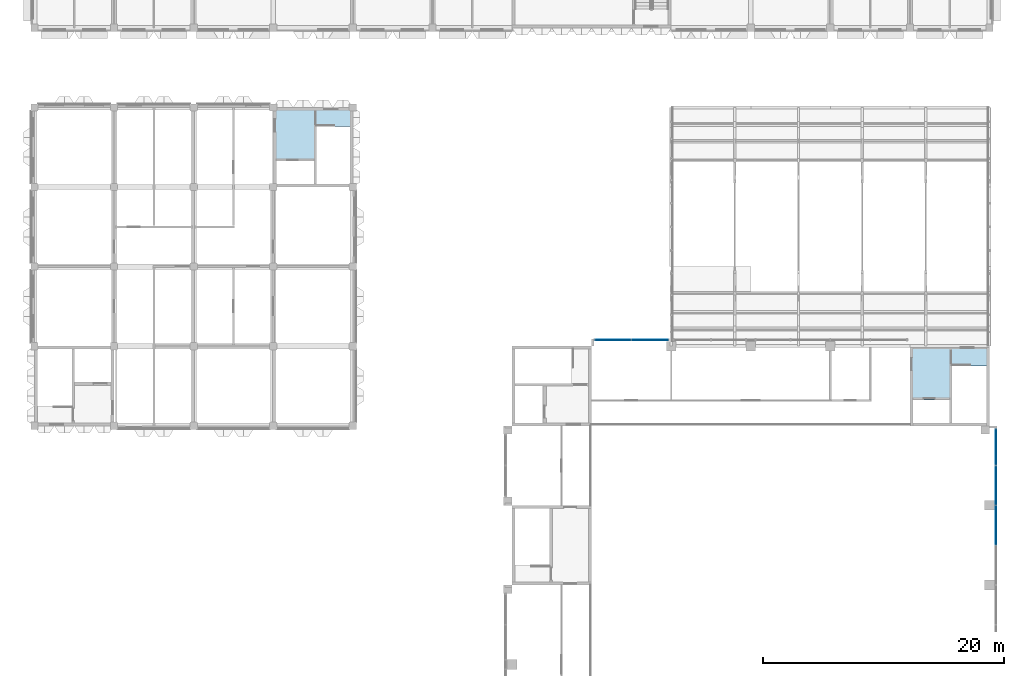
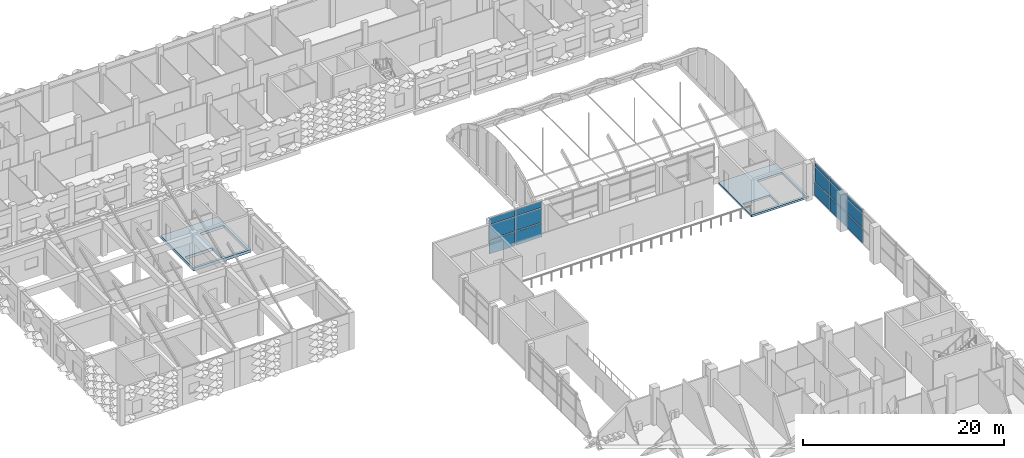
# One storey, part 37 of 102: 15 plates, 2 slabs, 2 elements without a shape of their own.
"""IFC4 building model written with IfcOpenShell, lengths in metres."""

from ifc_helpers import new_model, si_unit, direction, frame, origin, origin_2d, place, context, subcontext, project, spatial, polyline, rectangle, outline, extrude, material, layer, layer_set, type_object, element, aggregate, save


model = new_model("IFC4")

# Units and contexts
model_context = context("Model", 3, precision=1e-05, world=origin(), true_north=direction((0.0, 1.0)))
body_context = subcontext(model_context, "Body", "Model", "MODEL_VIEW")
ifc_project = project(units=[si_unit("LENGTHUNIT", "METRE"), si_unit("AREAUNIT", "SQUARE_METRE"), si_unit("VOLUMEUNIT", "CUBIC_METRE"), si_unit("PLANEANGLEUNIT", "RADIAN"), si_unit("MASSUNIT", "GRAM", prefix="KILO")], contexts=[model_context])

# Site, building, storey
site_placement = place(None, origin())
site = spatial("IfcSite", under=ifc_project, at=site_placement, CompositionType="ELEMENT")
building_placement = place(site_placement, origin())
building = spatial("IfcBuilding", under=site, at=building_placement, Name="Lantern Court Research Institute", CompositionType="ELEMENT")
storey_placement = place(building_placement, frame((0.0, 0.0, 9.89990234375)))
storey = spatial("IfcBuildingStorey", under=building, at=storey_placement, Name="L02", CompositionType="ELEMENT", Elevation=9.89990234375)

# Curtain wall, plates
ifc_material_1 = material(Name="Aluminium alloy 6063-T6", Category="aluminium")
curtain_wall_type_1 = type_object("IfcCurtainWallType", Name="Curtain wall 26200 x 4200 x 150 aluminium frame", PredefinedType="NOTDEFINED", material=ifc_material_1)
curtain_wall_1_placement = place(storey_placement, origin())
curtain_wall_1 = element("IfcCurtainWall", 1, at=curtain_wall_1_placement, inside=storey, type_object=curtain_wall_type_1, Name="Curtain wall CW034", PredefinedType="NOTDEFINED")
ifc_material_2 = material(Name="Fire-resisting insulated aluminium spandrel panel", Category="aluminium")
ifc_layer_1 = layer(ifc_material_2, 0.1201171875)
ifc_layer_set_1 = layer_set([ifc_layer_1], Name="Fire-resisting insulated aluminium spandrel panel")
plate_type_1 = type_object("IfcPlateType", Name="Fire-resisting spandrel panel 120 mm", PredefinedType="CURTAIN_PANEL", material=ifc_layer_set_1)
plate_1_placement = place(storey_placement, frame((79.72509765625, 41.25, 0.10009765625), z_axis=(0.0, 0.0, 1.0), x_axis=(0.0, -1.0, 0.0)))
plate_1 = element("IfcPlate", 2, at=plate_1_placement, type_object=plate_type_1, Name="CW034 spandrel panel 6.1", PredefinedType="CURTAIN_PANEL", context=body_context, shape_type="SweptSolid", body=[
    extrude(rectangle(XDim=3.199951171875, YDim=0.1201171875, at=origin_2d()), origin(), (0.0, 0.0, 1.0), 1.64990234375),
])
plate_2_placement = place(storey_placement, frame((79.72509765625, 44.550048828125, 0.10009765625), z_axis=(0.0, 0.0, 1.0), x_axis=(0.0, -1.0, 0.0)))
plate_2 = element("IfcPlate", 3, at=plate_2_placement, type_object=plate_type_1, Name="CW034 spandrel panel 7.1", PredefinedType="CURTAIN_PANEL", context=body_context, shape_type="SweptSolid", body=[
    extrude(rectangle(XDim=3.199951171875, YDim=0.1201171875, at=origin_2d()), origin(), (0.0, 0.0, 1.0), 1.64990234375),
])
plate_3_placement = place(storey_placement, frame((79.72509765625, 47.72509765625, 0.10009765625), z_axis=(0.0, 0.0, 1.0), x_axis=(0.0, -1.0, 0.0)))
plate_3 = element("IfcPlate", 4, at=plate_3_placement, type_object=plate_type_1, Name="CW034 spandrel panel 8.1", PredefinedType="CURTAIN_PANEL", context=body_context, shape_type="SweptSolid", body=[
    extrude(rectangle(XDim=2.949951171875, YDim=0.1201171875, at=origin_2d()), origin(), (0.0, 0.0, 1.0), 1.64990234375),
])

ifc_material_3 = material(Name="Aluminium alloy 6063-T6", Category="aluminium")
curtain_wall_type_2 = type_object("IfcCurtainWallType", Name="Curtain wall 6250 x 4500 x 150 aluminium frame", PredefinedType="NOTDEFINED", material=ifc_material_3)
curtain_wall_2_placement = place(storey_placement, origin())
curtain_wall_2 = element("IfcCurtainWall", 5, at=curtain_wall_2_placement, inside=storey, type_object=curtain_wall_type_2, Name="Curtain wall CW035", PredefinedType="NOTDEFINED")
plate_4_placement = place(storey_placement, frame((47.97509765625, 56.625, 0.10009765625), z_axis=(0.0, 0.0, 1.0), x_axis=(1.0, 0.0, 0.0)))
plate_4 = element("IfcPlate", 6, at=plate_4_placement, type_object=plate_type_1, Name="CW035 spandrel panel 1.1", PredefinedType="CURTAIN_PANEL", context=body_context, shape_type="SweptSolid", body=[
    extrude(rectangle(XDim=2.949951171875, YDim=0.1201171875, at=origin_2d()), origin(), (0.0, 0.0, 1.0), 1.64990234375),
])
plate_5_placement = place(storey_placement, frame((51.050048828125, 56.625, 0.10009765625), z_axis=(0.0, 0.0, 1.0), x_axis=(1.0, 0.0, 0.0)))
plate_5 = element("IfcPlate", 7, at=plate_5_placement, type_object=plate_type_1, Name="CW035 spandrel panel 2.1", PredefinedType="CURTAIN_PANEL", context=body_context, shape_type="SweptSolid", body=[
    extrude(rectangle(XDim=3.0, YDim=0.1201171875, at=origin_2d()), origin(), (0.0, 0.0, 1.0), 1.64990234375),
])

# Plate
ifc_material_4 = material(Name="Laminated low-emissivity glass", Category="glass")
ifc_layer_2 = layer(ifc_material_4, 0.028076171875)
ifc_layer_set_2 = layer_set([ifc_layer_2], Name="Laminated low-emissivity glass")
plate_type_2 = type_object("IfcPlateType", Name="Laminated low-emissivity unit 28 mm", PredefinedType="CURTAIN_PANEL", material=ifc_layer_set_2)
plate_6_placement = place(storey_placement, frame((79.72509765625, 41.25, 1.85009765625), z_axis=(0.0, 0.0, 1.0), x_axis=(0.0, -1.0, 0.0)))
plate_6 = element("IfcPlate", 8, at=plate_6_placement, type_object=plate_type_2, Name="CW034 glazed panel 6.2", PredefinedType="CURTAIN_PANEL", context=body_context, shape_type="SweptSolid", body=[
    extrude(rectangle(XDim=3.199951171875, YDim=0.028076171875, at=origin_2d()), origin(), (0.0, 0.0, 1.0), 1.699951171875),
])

plate_7_placement = place(storey_placement, frame((79.72509765625, 41.25, 3.64990234375), z_axis=(0.0, 0.0, 1.0), x_axis=(0.0, -1.0, 0.0)))
plate_7 = element("IfcPlate", 9, at=plate_7_placement, type_object=plate_type_2, Name="CW034 glazed panel 6.3", PredefinedType="CURTAIN_PANEL", context=body_context, shape_type="SweptSolid", body=[
    extrude(rectangle(XDim=3.199951171875, YDim=0.028076171875, at=origin_2d()), origin(), (0.0, 0.0, 1.0), 0.449951171875),
])

plate_8_placement = place(storey_placement, frame((79.72509765625, 44.550048828125, 1.85009765625), z_axis=(0.0, 0.0, 1.0), x_axis=(0.0, -1.0, 0.0)))
plate_8 = element("IfcPlate", 10, at=plate_8_placement, type_object=plate_type_2, Name="CW034 glazed panel 7.2", PredefinedType="CURTAIN_PANEL", context=body_context, shape_type="SweptSolid", body=[
    extrude(rectangle(XDim=3.199951171875, YDim=0.028076171875, at=origin_2d()), origin(), (0.0, 0.0, 1.0), 1.699951171875),
])

plate_9_placement = place(storey_placement, frame((79.72509765625, 44.550048828125, 3.64990234375), z_axis=(0.0, 0.0, 1.0), x_axis=(0.0, -1.0, 0.0)))
plate_9 = element("IfcPlate", 11, at=plate_9_placement, type_object=plate_type_2, Name="CW034 glazed panel 7.3", PredefinedType="CURTAIN_PANEL", context=body_context, shape_type="SweptSolid", body=[
    extrude(rectangle(XDim=3.199951171875, YDim=0.028076171875, at=origin_2d()), origin(), (0.0, 0.0, 1.0), 0.449951171875),
])

plate_10_placement = place(storey_placement, frame((79.72509765625, 47.72509765625, 1.85009765625), z_axis=(0.0, 0.0, 1.0), x_axis=(0.0, -1.0, 0.0)))
plate_10 = element("IfcPlate", 12, at=plate_10_placement, type_object=plate_type_2, Name="CW034 glazed panel 8.2", PredefinedType="CURTAIN_PANEL", context=body_context, shape_type="SweptSolid", body=[
    extrude(rectangle(XDim=2.949951171875, YDim=0.028076171875, at=origin_2d()), origin(), (0.0, 0.0, 1.0), 1.699951171875),
])

plate_11_placement = place(storey_placement, frame((79.72509765625, 47.72509765625, 3.64990234375), z_axis=(0.0, 0.0, 1.0), x_axis=(0.0, -1.0, 0.0)))
plate_11 = element("IfcPlate", 13, at=plate_11_placement, type_object=plate_type_2, Name="CW034 glazed panel 8.3", PredefinedType="CURTAIN_PANEL", context=body_context, shape_type="SweptSolid", body=[
    extrude(rectangle(XDim=2.949951171875, YDim=0.028076171875, at=origin_2d()), origin(), (0.0, 0.0, 1.0), 0.449951171875),
])

aggregate(curtain_wall_1, [plate_1, plate_6, plate_7, plate_2, plate_8, plate_9, plate_3, plate_10, plate_11])

plate_12_placement = place(storey_placement, frame((47.97509765625, 56.625, 1.85009765625), z_axis=(0.0, 0.0, 1.0), x_axis=(1.0, 0.0, 0.0)))
plate_12 = element("IfcPlate", 14, at=plate_12_placement, type_object=plate_type_2, Name="CW035 glazed panel 1.2", PredefinedType="CURTAIN_PANEL", context=body_context, shape_type="SweptSolid", body=[
    extrude(rectangle(XDim=2.949951171875, YDim=0.028076171875, at=origin_2d()), origin(), (0.0, 0.0, 1.0), 1.699951171875),
])

plate_13_placement = place(storey_placement, frame((47.97509765625, 56.625, 3.650146484375), z_axis=(0.0, 0.0, 1.0), x_axis=(1.0, 0.0, 0.0)))
plate_13 = element("IfcPlate", 15, at=plate_13_placement, type_object=plate_type_2, Name="CW035 glazed panel 1.3", PredefinedType="CURTAIN_PANEL", context=body_context, shape_type="SweptSolid", body=[
    extrude(rectangle(XDim=2.949951171875, YDim=0.028076171875, at=origin_2d()), origin(), (0.0, 0.0, 1.0), 0.75),
])

plate_14_placement = place(storey_placement, frame((51.050048828125, 56.625, 1.85009765625), z_axis=(0.0, 0.0, 1.0), x_axis=(1.0, 0.0, 0.0)))
plate_14 = element("IfcPlate", 16, at=plate_14_placement, type_object=plate_type_2, Name="CW035 glazed panel 2.2", PredefinedType="CURTAIN_PANEL", context=body_context, shape_type="SweptSolid", body=[
    extrude(rectangle(XDim=3.0, YDim=0.028076171875, at=origin_2d()), origin(), (0.0, 0.0, 1.0), 1.699951171875),
])

plate_15_placement = place(storey_placement, frame((51.050048828125, 56.625, 3.650146484375), z_axis=(0.0, 0.0, 1.0), x_axis=(1.0, 0.0, 0.0)))
plate_15 = element("IfcPlate", 17, at=plate_15_placement, type_object=plate_type_2, Name="CW035 glazed panel 2.3", PredefinedType="CURTAIN_PANEL", context=body_context, shape_type="SweptSolid", body=[
    extrude(rectangle(XDim=3.0, YDim=0.028076171875, at=origin_2d()), origin(), (0.0, 0.0, 1.0), 0.75),
])

aggregate(curtain_wall_2, [plate_4, plate_12, plate_13, plate_5, plate_14, plate_15])

# Slabs
ifc_material_5 = material(Name="Concrete C35/45", Category="concrete")
ifc_layer_3 = layer(ifc_material_5, 0.25)
ifc_layer_set_3 = layer_set([ifc_layer_3], Name="Concrete C35/45")
slab_type_1 = type_object("IfcSlabType", Name="RC core floor slab 250", PredefinedType="FLOOR", material=ifc_layer_set_3)
slab_1_placement = place(storey_placement, frame((0.0, 0.0, -0.25)))
element("IfcSlab", 18, at=slab_1_placement, inside=storey, type_object=slab_type_1, Name="Floor of core HC-B", PredefinedType="FLOOR", context=body_context, shape_type="SweptSolid", body=[
    extrude(outline(polyline([(72.60009765625, 49.5), (79.199951171875, 49.5), (79.199951171875, 56.10009765625), (72.60009765625, 56.10009765625), (72.60009765625, 49.5)]), holes=[polyline([(76.10009765625, 54.449951171875), (76.10009765625, 49.75), (78.949951171875, 49.75), (78.949951171875, 54.449951171875), (76.10009765625, 54.449951171875)]), polyline([(72.85009765625, 51.64990234375), (75.89990234375, 51.64990234375), (75.89990234375, 49.75), (72.85009765625, 49.75), (72.85009765625, 51.64990234375)])]), origin(), (0.0, 0.0, 1.0), 0.25),
])
ifc_material_6 = material(Name="Concrete C35/45", Category="concrete")
ifc_layer_4 = layer(ifc_material_6, 0.35009765625)
ifc_layer_set_4 = layer_set([ifc_layer_4], Name="Concrete C35/45")
slab_type_2 = type_object("IfcSlabType", Name="RC core floor slab 350", PredefinedType="FLOOR", material=ifc_layer_set_4)
slab_2_placement = place(storey_placement, frame((0.0, 0.0, -0.349853515625)))
element("IfcSlab", 19, at=slab_2_placement, inside=storey, type_object=slab_type_2, Name="Floor of core CC-B", PredefinedType="FLOOR", context=body_context, shape_type="SweptSolid", body=[
    extrude(outline(polyline([(19.800048828125, 69.300048828125), (26.39990234375, 69.300048828125), (26.39990234375, 75.89990234375), (19.800048828125, 75.89990234375), (19.800048828125, 69.300048828125)]), holes=[polyline([(23.39990234375, 74.300048828125), (23.39990234375, 69.550048828125), (26.14990234375, 69.550048828125), (26.14990234375, 74.300048828125), (23.39990234375, 74.300048828125)]), polyline([(20.050048828125, 71.449951171875), (23.199951171875, 71.449951171875), (23.199951171875, 69.550048828125), (20.050048828125, 69.550048828125), (20.050048828125, 71.449951171875)])]), origin(), (0.0, 0.0, 1.0), 0.349853515625),
])

save(model, "model.ifc")
